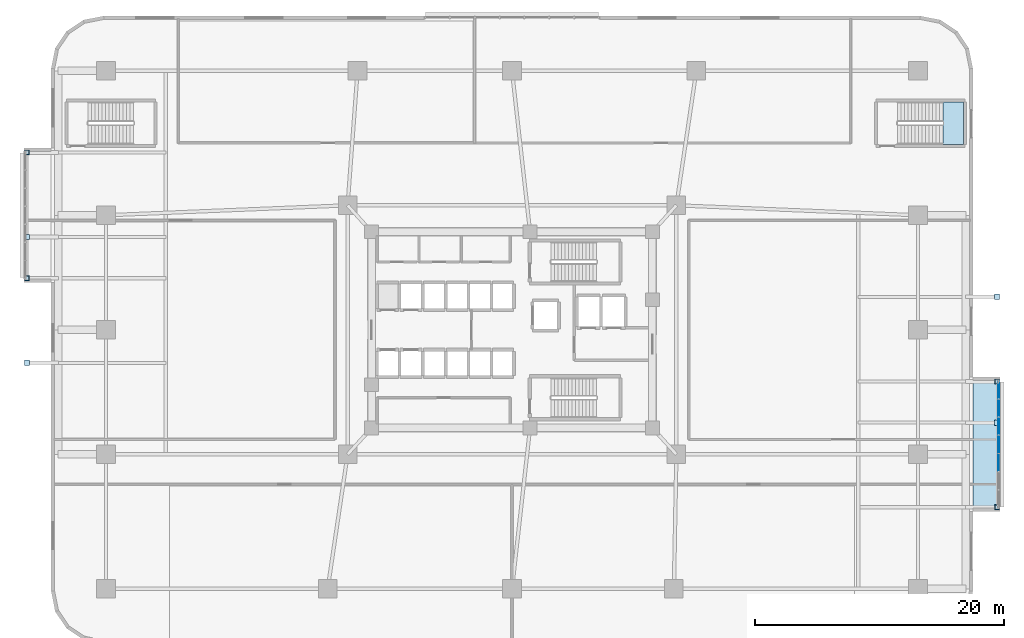
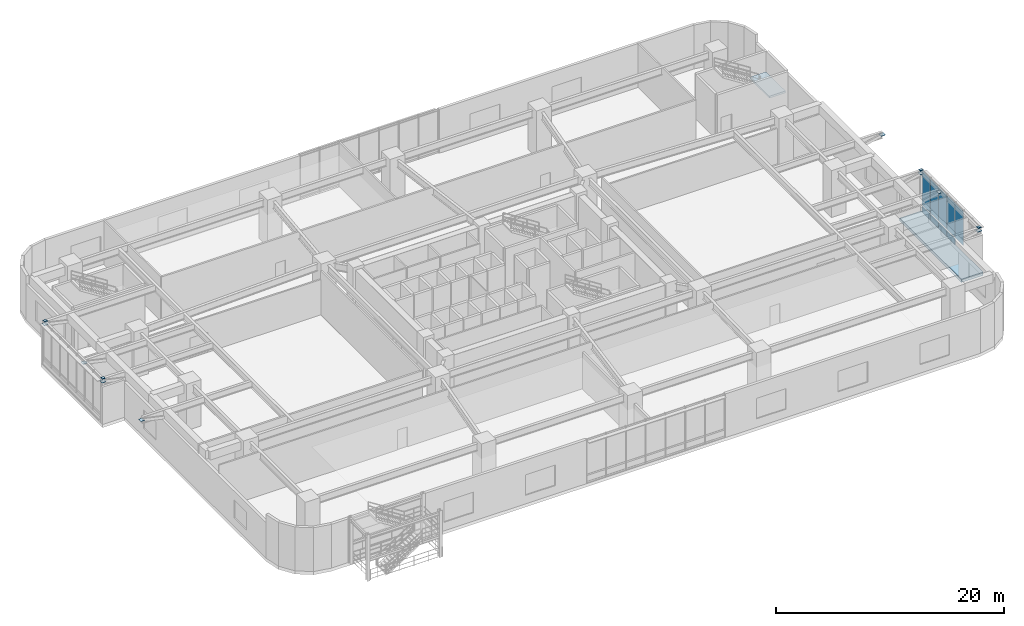
# One storey, part 14 of 23: 21 plates, 2 slabs, 2 elements without a shape of their own.
"""IFC4 building model written with IfcOpenShell, lengths in metres."""

from ifc_helpers import new_model, si_unit, direction, frame, origin, origin_2d, place, context, subcontext, project, spatial, polyline, rectangle, outline, extrude, material, layer, layer_set, type_object, element, aggregate, save


model = new_model("IFC4")

# Units and contexts
model_context = context("Model", 3, precision=1e-05, world=origin(), true_north=direction((0.0, 1.0)))
body_context = subcontext(model_context, "Body", "Model", "MODEL_VIEW")
ifc_project = project(units=[si_unit("LENGTHUNIT", "METRE"), si_unit("AREAUNIT", "SQUARE_METRE"), si_unit("VOLUMEUNIT", "CUBIC_METRE"), si_unit("PLANEANGLEUNIT", "RADIAN"), si_unit("MASSUNIT", "GRAM", prefix="KILO")], contexts=[model_context])

# Site, building, storey
site_placement = place(None, origin())
site = spatial("IfcSite", under=ifc_project, at=site_placement, CompositionType="ELEMENT")
building_placement = place(site_placement, origin())
building = spatial("IfcBuilding", under=site, at=building_placement, Name="Zulverin Broadcast Headquarters", CompositionType="ELEMENT")
storey_placement = place(building_placement, frame((0.0, 0.0, 10.0)))
storey = spatial("IfcBuildingStorey", under=building, at=storey_placement, Name="L02", CompositionType="ELEMENT", Elevation=10.0)

# Curtain wall, plates
ifc_material_1 = material(Name="Acoustic triple-glazed studio box curtain wall", Category="aluminium")
curtain_wall_type = type_object("IfcCurtainWallType", Name="CW-SBOX", PredefinedType="USERDEFINED", material=ifc_material_1)
curtain_wall_placement = place(storey_placement, origin())
curtain_wall = element("IfcCurtainWall", 1, at=curtain_wall_placement, inside=storey, type_object=curtain_wall_type, Name="L02 Unitised Curtain Wall CW-L02-SBOX_POD_LOWER_E1-F", ObjectType="UNITISED CURTAIN WALL", PredefinedType="USERDEFINED")
ifc_material_2 = material(Name="Low-E double-glazed pale-silver vision glass", Category="glass")
ifc_layer_1 = layer(ifc_material_2, 0.035888671875, Name="Low-E double-glazed pale-silver vision glass", Category="glass")
ifc_layer_set_1 = layer_set([ifc_layer_1], Name="Low-E double-glazed pale-silver vision glass")
plate_type_1 = type_object("IfcPlateType", Name="CW-PNL-GLZ", PredefinedType="CURTAIN_PANEL", material=ifc_layer_set_1)
plate_1_placement = place(storey_placement, frame((76.080078125, 14.548583984375, 0.9150390625), z_axis=(0.0, 0.0, 1.0), x_axis=(0.0, 1.0, 0.0)))
plate_1 = element("IfcPlate", 2, at=plate_1_placement, type_object=plate_type_1, Name="CW-L02-SBOX_POD_LOWER_E1-F Vision Panel 02", PredefinedType="CURTAIN_PANEL", context=body_context, shape_type="SweptSolid", body=[
    extrude(rectangle(XDim=1.411376953125, YDim=0.035888671875, at=origin_2d()), origin(), (0.0, 0.0, 1.0), 3.625),
])
plate_2_placement = place(storey_placement, frame((76.080078125, 16.0, 0.9150390625), z_axis=(0.0, 0.0, 1.0), x_axis=(0.0, 1.0, 0.0)))
plate_2 = element("IfcPlate", 3, at=plate_2_placement, type_object=plate_type_1, Name="CW-L02-SBOX_POD_LOWER_E1-F Vision Panel 03", PredefinedType="CURTAIN_PANEL", context=body_context, shape_type="SweptSolid", body=[
    extrude(rectangle(XDim=1.411376953125, YDim=0.035888671875, at=origin_2d()), origin(), (0.0, 0.0, 1.0), 3.625),
])
plate_3_placement = place(storey_placement, frame((76.080078125, 17.451416015625, 0.9150390625), z_axis=(0.0, 0.0, 1.0), x_axis=(0.0, 1.0, 0.0)))
plate_3 = element("IfcPlate", 4, at=plate_3_placement, type_object=plate_type_1, Name="CW-L02-SBOX_POD_LOWER_E1-F Vision Panel 04", PredefinedType="CURTAIN_PANEL", context=body_context, shape_type="SweptSolid", body=[
    extrude(rectangle(XDim=1.411376953125, YDim=0.035888671875, at=origin_2d()), origin(), (0.0, 0.0, 1.0), 3.625),
])
plate_4_placement = place(storey_placement, frame((76.080078125, 18.90283203125, 0.9150390625), z_axis=(0.0, 0.0, 1.0), x_axis=(0.0, 1.0, 0.0)))
plate_4 = element("IfcPlate", 5, at=plate_4_placement, type_object=plate_type_1, Name="CW-L02-SBOX_POD_LOWER_E1-F Vision Panel 05", PredefinedType="CURTAIN_PANEL", context=body_context, shape_type="SweptSolid", body=[
    extrude(rectangle(XDim=1.411376953125, YDim=0.035888671875, at=origin_2d()), origin(), (0.0, 0.0, 1.0), 3.625),
])
plate_5_placement = place(storey_placement, frame((76.080078125, 20.354248046875, 0.9150390625), z_axis=(0.0, 0.0, 1.0), x_axis=(0.0, 1.0, 0.0)))
plate_5 = element("IfcPlate", 6, at=plate_5_placement, type_object=plate_type_1, Name="CW-L02-SBOX_POD_LOWER_E1-F Vision Panel 06", PredefinedType="CURTAIN_PANEL", context=body_context, shape_type="SweptSolid", body=[
    extrude(rectangle(XDim=1.411376953125, YDim=0.035888671875, at=origin_2d()), origin(), (0.0, 0.0, 1.0), 3.625),
])
ifc_material_3 = material(Name="Insulated brushed pale-aluminium spandrel cassette", Category="aluminium")
ifc_layer_2 = layer(ifc_material_3, 0.050048828125, Name="Insulated brushed pale-aluminium spandrel cassette", Category="aluminium")
ifc_layer_set_2 = layer_set([ifc_layer_2], Name="Insulated brushed pale-aluminium spandrel cassette")
plate_type_2 = type_object("IfcPlateType", Name="CW-PNL-SPN", PredefinedType="CURTAIN_PANEL", material=ifc_layer_set_2)
plate_6_placement = place(storey_placement, frame((76.080078125, 16.0, 0.139892578125), z_axis=(0.0, 0.0, 1.0), x_axis=(0.0, 1.0, 0.0)))
plate_6 = element("IfcPlate", 7, at=plate_6_placement, type_object=plate_type_2, Name="CW-L02-SBOX_POD_LOWER_E1-F Spandrel Cassette 03", PredefinedType="CURTAIN_PANEL", context=body_context, shape_type="SweptSolid", body=[
    extrude(rectangle(XDim=1.411376953125, YDim=0.050048828125, at=origin_2d()), origin(), (0.0, 0.0, 1.0), 0.64501953125),
])
plate_7_placement = place(storey_placement, frame((76.080078125, 17.451416015625, 0.139892578125), z_axis=(0.0, 0.0, 1.0), x_axis=(0.0, 1.0, 0.0)))
plate_7 = element("IfcPlate", 8, at=plate_7_placement, type_object=plate_type_2, Name="CW-L02-SBOX_POD_LOWER_E1-F Spandrel Cassette 04", PredefinedType="CURTAIN_PANEL", context=body_context, shape_type="SweptSolid", body=[
    extrude(rectangle(XDim=1.411376953125, YDim=0.050048828125, at=origin_2d()), origin(), (0.0, 0.0, 1.0), 0.64501953125),
])
plate_8_placement = place(storey_placement, frame((76.080078125, 18.90283203125, 0.139892578125), z_axis=(0.0, 0.0, 1.0), x_axis=(0.0, 1.0, 0.0)))
plate_8 = element("IfcPlate", 9, at=plate_8_placement, type_object=plate_type_2, Name="CW-L02-SBOX_POD_LOWER_E1-F Spandrel Cassette 05", PredefinedType="CURTAIN_PANEL", context=body_context, shape_type="SweptSolid", body=[
    extrude(rectangle(XDim=1.411376953125, YDim=0.050048828125, at=origin_2d()), origin(), (0.0, 0.0, 1.0), 0.64501953125),
])
plate_9_placement = place(storey_placement, frame((76.080078125, 20.354248046875, 0.139892578125), z_axis=(0.0, 0.0, 1.0), x_axis=(0.0, 1.0, 0.0)))
plate_9 = element("IfcPlate", 10, at=plate_9_placement, type_object=plate_type_2, Name="CW-L02-SBOX_POD_LOWER_E1-F Spandrel Cassette 06", PredefinedType="CURTAIN_PANEL", context=body_context, shape_type="SweptSolid", body=[
    extrude(rectangle(XDim=1.411376953125, YDim=0.050048828125, at=origin_2d()), origin(), (0.0, 0.0, 1.0), 0.64501953125),
])
aggregate(curtain_wall, [plate_1, plate_6, plate_2, plate_7, plate_3, plate_8, plate_4, plate_9, plate_5])

# Plates
ifc_material_4 = material(Name="Structural steel S355JR", Category="steel")
ifc_layer_3 = layer(ifc_material_4, 0.02490234375, Name="Structural steel S355JR", Category="steel")
ifc_layer_set_3 = layer_set([ifc_layer_3], Name="Structural steel S355JR")
plate_type_3 = type_object("IfcPlateType", Name="PLT-NODE-SBN1", PredefinedType="SHEET", material=ifc_layer_set_3)
plate_10_placement = place(storey_placement, frame((75.949951171875, 10.949951171875, 4.677490234375), z_axis=(0.0, 0.0, 1.0), x_axis=(1.0, 0.0, 0.0)))
element("IfcPlate", 11, at=plate_10_placement, inside=storey, type_object=plate_type_3, Name="SBN-1 Studio Box Post End Cap Plate L02-SBOX_POD_LOWER_E1-1", PredefinedType="SHEET", context=body_context, shape_type="SweptSolid", body=[
    extrude(rectangle(XDim=0.300048828125, YDim=0.300048828125, at=origin_2d()), origin(), (0.0, 0.0, 1.0), 0.02490234375),
])
plate_11_placement = place(storey_placement, frame((75.949951171875, 10.949951171875, 4.317626953125), z_axis=(0.0, 0.0, 1.0), x_axis=(1.0, 0.0, 0.0)))
element("IfcPlate", 12, at=plate_11_placement, inside=storey, type_object=plate_type_3, Name="SBN-1 Studio Box Node Gusset Plate L02-SBOX_POD_LOWER_E1-1", PredefinedType="SHEET", context=body_context, shape_type="SweptSolid", body=[
    extrude(rectangle(XDim=0.419921875, YDim=0.419921875, at=origin_2d()), origin(), (0.0, 0.0, 1.0), 0.02490234375),
])
plate_12_placement = place(storey_placement, frame((75.949951171875, 21.050048828125, 4.677490234375), z_axis=(0.0, 0.0, 1.0), x_axis=(1.0, 0.0, 0.0)))
element("IfcPlate", 13, at=plate_12_placement, inside=storey, type_object=plate_type_3, Name="SBN-1 Studio Box Post End Cap Plate L02-SBOX_POD_LOWER_E1-2", PredefinedType="SHEET", context=body_context, shape_type="SweptSolid", body=[
    extrude(rectangle(XDim=0.300048828125, YDim=0.300048828125, at=origin_2d()), origin(), (0.0, 0.0, 1.0), 0.02490234375),
])
plate_13_placement = place(storey_placement, frame((75.949951171875, 21.050048828125, 4.317626953125), z_axis=(0.0, 0.0, 1.0), x_axis=(1.0, 0.0, 0.0)))
element("IfcPlate", 14, at=plate_13_placement, inside=storey, type_object=plate_type_3, Name="SBN-1 Studio Box Node Gusset Plate L02-SBOX_POD_LOWER_E1-2", PredefinedType="SHEET", context=body_context, shape_type="SweptSolid", body=[
    extrude(rectangle(XDim=0.419921875, YDim=0.419921875, at=origin_2d()), origin(), (0.0, 0.0, 1.0), 0.02490234375),
])
plate_14_placement = place(storey_placement, frame((-1.949951171875, 29.35009765625, 4.677490234375), z_axis=(0.0, 0.0, 1.0), x_axis=(1.0, 0.0, 0.0)))
element("IfcPlate", 15, at=plate_14_placement, inside=storey, type_object=plate_type_3, Name="SBN-1 Studio Box Post End Cap Plate L02-SBOX_POD_LOWER_W1-1", PredefinedType="SHEET", context=body_context, shape_type="SweptSolid", body=[
    extrude(rectangle(XDim=0.300048828125, YDim=0.300048828125, at=origin_2d()), origin(), (0.0, 0.0, 1.0), 0.02490234375),
])
plate_15_placement = place(storey_placement, frame((-1.949951171875, 29.35009765625, 4.317626953125), z_axis=(0.0, 0.0, 1.0), x_axis=(1.0, 0.0, 0.0)))
element("IfcPlate", 16, at=plate_15_placement, inside=storey, type_object=plate_type_3, Name="SBN-1 Studio Box Node Gusset Plate L02-SBOX_POD_LOWER_W1-1", PredefinedType="SHEET", context=body_context, shape_type="SweptSolid", body=[
    extrude(rectangle(XDim=0.419921875, YDim=0.419921875, at=origin_2d()), origin(), (0.0, 0.0, 1.0), 0.02490234375),
])
plate_16_placement = place(storey_placement, frame((-1.949951171875, 39.449951171875, 4.677490234375), z_axis=(0.0, 0.0, 1.0), x_axis=(1.0, 0.0, 0.0)))
element("IfcPlate", 17, at=plate_16_placement, inside=storey, type_object=plate_type_3, Name="SBN-1 Studio Box Post End Cap Plate L02-SBOX_POD_LOWER_W1-2", PredefinedType="SHEET", context=body_context, shape_type="SweptSolid", body=[
    extrude(rectangle(XDim=0.300048828125, YDim=0.300048828125, at=origin_2d()), origin(), (0.0, 0.0, 1.0), 0.02490234375),
])
for number, where, z_axis, x_axis, name in (
    (18, (-1.949951171875, 39.449951171875, 4.317626953125), (0.0, 0.0, 1.0), (1.0, 0.0, 0.0), "SBN-1 Studio Box Node Gusset Plate L02-SBOX_POD_LOWER_W1-2"),
    (19, (75.949951171875, 17.75, 4.317626953125), (0.0, 0.0, 1.0), (1.0, 0.0, 0.0), "SBN-1 Studio Box Base Gusset Plate L02-SBOX_POD_UPPER_E1-1"),
    (20, (75.949951171875, 27.85009765625, 4.317626953125), (0.0, 0.0, 1.0), (1.0, 0.0, 0.0), "SBN-1 Studio Box Base Gusset Plate L02-SBOX_POD_UPPER_E1-2"),
    (21, (-1.949951171875, 22.550048828125, 4.317626953125), (0.0, 0.0, 1.0), (1.0, 0.0, 0.0), "SBN-1 Studio Box Base Gusset Plate L02-SBOX_POD_UPPER_W1-1"),
    (22, (-1.949951171875, 32.64990234375, 4.317626953125), (0.0, 0.0, 1.0), (1.0, 0.0, 0.0), "SBN-1 Studio Box Base Gusset Plate L02-SBOX_POD_UPPER_W1-2"),
):
    element("IfcPlate", number, at=place(storey_placement, frame(where, z_axis=z_axis, x_axis=x_axis)), inside=storey, type_object=plate_type_3, Name=name, PredefinedType="SHEET", context=body_context, shape_type="SweptSolid", body=[
        extrude(rectangle(XDim=0.419921875, YDim=0.419921875, at=origin_2d()), origin(), (0.0, 0.0, 1.0), 0.02490234375),
    ])

# Slab
ifc_material_5 = material(Name="Concrete C40/50", Category="concrete")
ifc_layer_4 = layer(ifc_material_5, 0.340087890625, Name="Concrete C40/50", Category="concrete")
ifc_layer_set_4 = layer_set([ifc_layer_4], Name="Concrete C40/50")
slab_type_1 = type_object("IfcSlabType", Name="SLB-POD-340", PredefinedType="FLOOR", material=ifc_layer_set_4)
slab_1_placement = place(storey_placement, frame((0.0, 0.0, -0.340087890625)))
element("IfcSlab", 23, at=slab_1_placement, inside=storey, type_object=slab_type_1, Name="L02 Shifted Broadcast Studio Box Floor Slab SBOX_POD_LOWER_E1", PredefinedType="FLOOR", context=body_context, shape_type="SweptSolid", body=[
    extrude(outline(polyline([(74.0, 10.60009765625), (76.199951171875, 10.60009765625), (76.199951171875, 21.39990234375), (74.0, 21.39990234375), (74.0, 10.60009765625)])), origin(), (0.0, 0.0, 1.0), 0.340087890625),
])

# Stair, slab
stair_type = type_object("IfcStairType", Name="ST-POD-1600", PredefinedType="HALF_TURN_STAIR", material=ifc_material_5)
stair_placement = place(storey_placement, origin())
stair = element("IfcStair", 24, at=stair_placement, inside=storey, type_object=stair_type, Name="L02 Podium Exit Stair ST-4", PredefinedType="HALF_TURN_STAIR")
ifc_layer_5 = layer(ifc_material_5, 0.199951171875, Name="Concrete C40/50", Category="concrete")
ifc_layer_set_5 = layer_set([ifc_layer_5], Name="Concrete C40/50")
slab_type_2 = type_object("IfcSlabType", Name="SLB-ST-LND200", PredefinedType="LANDING", material=ifc_layer_set_5)
slab_2_placement = place(storey_placement, frame((0.0, 0.0, 2.300048828125)))
slab_2 = element("IfcSlab", 25, at=slab_2_placement, type_object=slab_type_2, Name="ST-4 landing 1", PredefinedType="LANDING", context=body_context, shape_type="SweptSolid", body=[
    extrude(outline(polyline([(71.610107421875, 40.10009765625), (73.25, 40.10009765625), (73.25, 43.5), (71.610107421875, 43.5), (71.610107421875, 40.10009765625)])), origin(), (0.0, 0.0, 1.0), 0.199951171875),
])
aggregate(stair, [slab_2])

save(model, "model.ifc")
